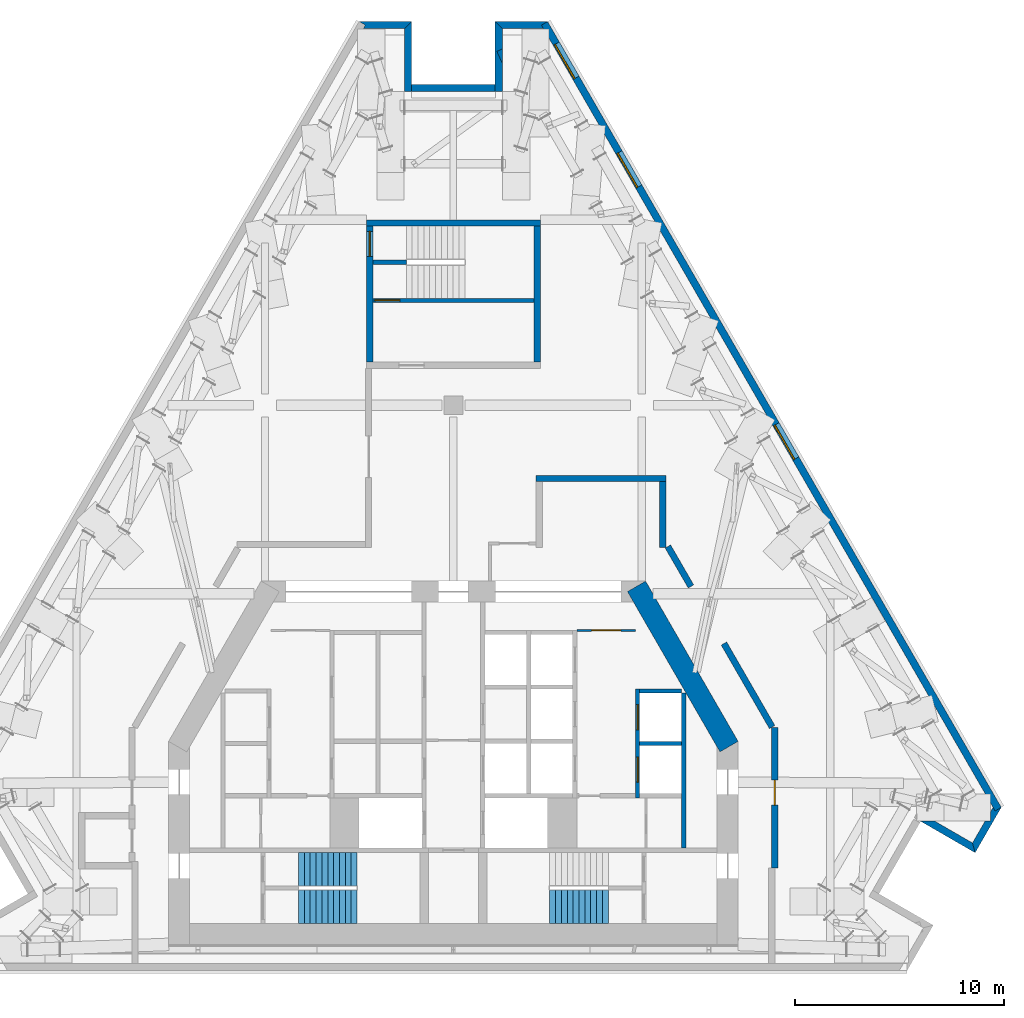
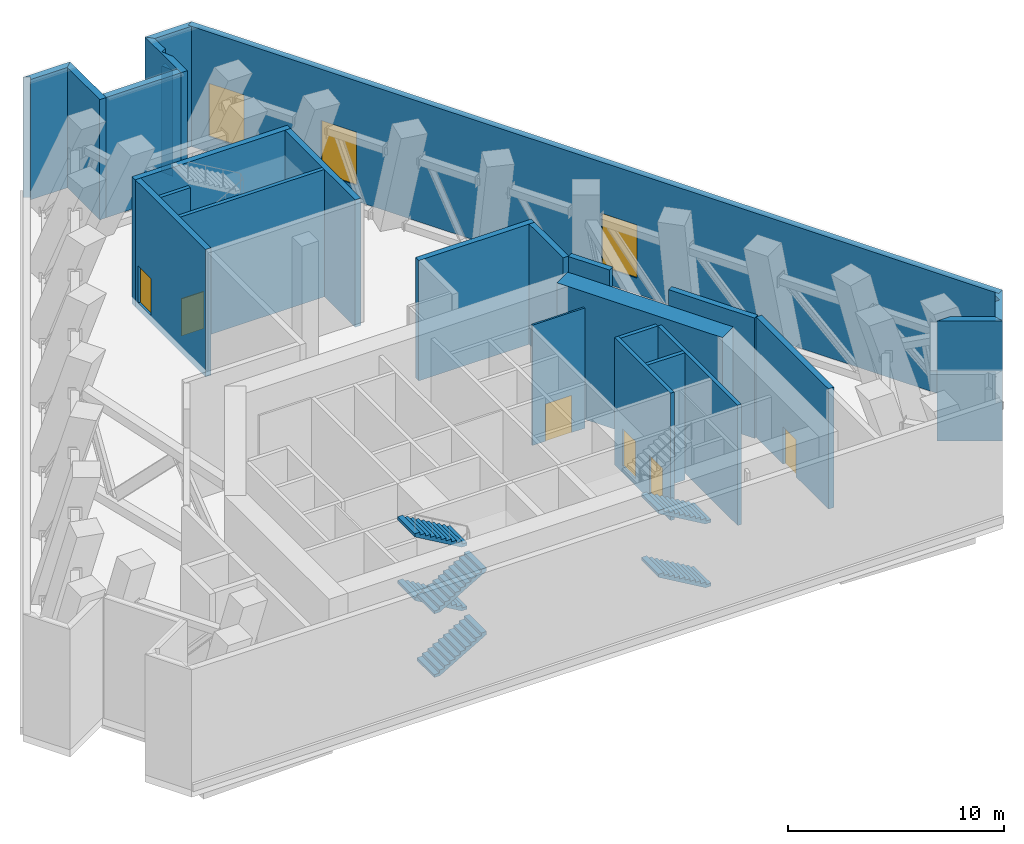
# One storey, part 8 of 13: 25 walls, 6 doors, 6 stair flights, 3 windows, 9 openings, 2 elements without a shape of their own.
"""IFC4 building model written with IfcOpenShell, lengths in metres."""

import ifcopenshell
import ifcopenshell.guid

model = None  # the IFC model being written
_history = None  # IfcOwnerHistory: only IFC2X3 demands one
_inside = {}  # id of a spatial element -> (the spatial element, [elements in it])
_under = {}  # id of a project, library or spatial element -> (it, [spatial elements below it])
_declared = {}  # id of a project -> (the project, [libraries it declares])
_typed = {}  # id of a type object -> (the type object, [elements of that type])
_made_of = {}  # id of a material, layer set ... -> (it, [elements and type objects made of it])


def new_model(schema):
    """Start an empty IFC model of exactly this schema.

    Asked for "IFC4X3", IfcOpenShell would pick the latest addendum, in which some entities
    have other attributes; the version numbers below select the first issue.
    IFC2X3 requires an IfcOwnerHistory on every rooted entity: one is made here for all.
    """
    global model, _history
    if schema == "IFC4X3":
        model = ifcopenshell.file(schema_version=(4, 3, 0, 0))
    else:
        model = ifcopenshell.file(schema=schema)
    _inside.clear()
    _under.clear()
    _declared.clear()
    _typed.clear()
    _made_of.clear()
    _history = None
    if model.schema == "IFC2X3":
        org = make("IfcOrganization", Name="unknown")
        user = make(
            "IfcPersonAndOrganization",
            ThePerson=make("IfcPerson", FamilyName="unknown"),
            TheOrganization=org,
        )
        app = make(
            "IfcApplication",
            ApplicationDeveloper=org,
            Version="unknown",
            ApplicationFullName="unknown",
            ApplicationIdentifier="unknown",
        )
        _history = make(
            "IfcOwnerHistory",
            OwningUser=user,
            OwningApplication=app,
            ChangeAction="ADDED",
            CreationDate=0,
        )
    return model


def make(cls, **values):
    """One entity of the class cls with the attributes given. An attribute that is None is left unset."""
    return model.create_entity(
        cls, **{name: value for name, value in values.items() if value is not None}
    )


def rooted(cls, **values):
    """An entity with a GlobalId (a new one), such as an element, a storey or a relation."""
    return make(cls, GlobalId=ifcopenshell.guid.new(), OwnerHistory=_history, **values)


def si_unit(unit_type, name, prefix=None):
    """IfcSIUnit, for example si_unit("LENGTHUNIT", "METRE", prefix="MILLI")."""
    return make("IfcSIUnit", UnitType=unit_type, Prefix=prefix, Name=name)


def assignment(units):
    """IfcUnitAssignment: the units of a project."""
    return None if units is None else make("IfcUnitAssignment", Units=units)


def point(xyz):
    """IfcCartesianPoint."""
    return None if xyz is None else make("IfcCartesianPoint", Coordinates=xyz)


def direction(xyz):
    """IfcDirection."""
    return None if xyz is None else make("IfcDirection", DirectionRatios=xyz)


def frame(location, z_axis=None, x_axis=None):
    """IfcAxis2Placement3D, a coordinate frame: its origin and axes. An axis left out is left unset."""
    return make(
        "IfcAxis2Placement3D",
        Location=point(location),
        Axis=direction(z_axis),
        RefDirection=direction(x_axis),
    )


def frame_2d(location, x_axis=None):
    """IfcAxis2Placement2D, a coordinate frame in the plane: its origin and x axis."""
    return make(
        "IfcAxis2Placement2D", Location=point(location), RefDirection=direction(x_axis)
    )


def origin():
    """The frame at (0, 0, 0) with its axes left unset."""
    return frame((0.0, 0.0, 0.0))


def place(relative_to, where):
    """IfcLocalPlacement: puts the frame where relative to a parent placement (None: the world)."""
    return make(
        "IfcLocalPlacement", PlacementRelTo=relative_to, RelativePlacement=where
    )


def context(
    kind, dimensions, precision=None, world=None, true_north=None, identifier=None
):
    """IfcGeometricRepresentationContext, for example the 3D "Model" context."""
    return make(
        "IfcGeometricRepresentationContext",
        ContextIdentifier=identifier,
        ContextType=kind,
        CoordinateSpaceDimension=dimensions,
        Precision=precision,
        WorldCoordinateSystem=world,
        TrueNorth=true_north,
    )


def subcontext(parent, identifier, kind, view, scale=None):
    """IfcGeometricRepresentationSubContext, for example "Body" below "Model"."""
    return make(
        "IfcGeometricRepresentationSubContext",
        ContextIdentifier=identifier,
        ContextType=kind,
        ParentContext=parent,
        TargetScale=scale,
        TargetView=view,
    )


def project(units=None, contexts=None):
    """IfcProject with its units and contexts."""
    return rooted(
        "IfcProject",
        Name="project",
        RepresentationContexts=contexts,
        UnitsInContext=assignment(units),
    )


def spatial(cls, under=None, at=None, **own):
    """A site, building, storey or space (cls), placed at a placement, below another one or the project."""
    s = rooted(cls, ObjectPlacement=at, **own)
    if under is not None:
        _under.setdefault(under.id(), (under, []))[1].append(s)
    return s


def polyline(points):
    """IfcPolyline through the points."""
    return make("IfcPolyline", Points=[point(p) for p in points])


def profile(cls, at=None, kind="AREA", **sizes):
    """A parametric profile (cls). Its sizes go by their IFC names, for example OverallWidth=200.0."""
    return make(cls, ProfileType=kind, Position=at, **sizes)


def rectangle(**sizes):
    """IfcRectangleProfileDef."""
    return profile("IfcRectangleProfileDef", **sizes)


def outline(outer, holes=None, kind="AREA"):
    """IfcArbitraryClosedProfileDef: a profile drawn as a closed curve; with holes, ...WithVoids."""
    if holes is None:
        return make("IfcArbitraryClosedProfileDef", ProfileType=kind, OuterCurve=outer)
    return make(
        "IfcArbitraryProfileDefWithVoids",
        ProfileType=kind,
        OuterCurve=outer,
        InnerCurves=holes,
    )


def extrude(swept, where, along, depth):
    """IfcExtrudedAreaSolid: the profile swept, set in the frame where, extruded along a direction by depth."""
    return make(
        "IfcExtrudedAreaSolid",
        SweptArea=swept,
        Position=where,
        ExtrudedDirection=direction(along),
        Depth=depth,
    )


def shape(context_of_items, identifier, shape_type, items):
    """IfcShapeRepresentation: the items that make up one representation, for example the "Body"."""
    return make(
        "IfcShapeRepresentation",
        ContextOfItems=context_of_items,
        RepresentationIdentifier=identifier,
        RepresentationType=shape_type,
        Items=items,
    )


def material(Name=None, Category=None):
    """IfcMaterial."""
    return make("IfcMaterial", Name=Name, Category=Category)


def layer(
    of_material, thickness, ventilated=None, Name=None, Category=None, Priority=None
):
    """IfcMaterialLayer: one layer of a wall or slab, of a material (None: an air gap)."""
    return make(
        "IfcMaterialLayer",
        Material=of_material,
        LayerThickness=thickness,
        IsVentilated=ventilated,
        Name=Name,
        Category=Category,
        Priority=Priority,
    )


def layer_set(layers, Name=None):
    """IfcMaterialLayerSet."""
    return make("IfcMaterialLayerSet", MaterialLayers=layers, LayerSetName=Name)


def made_of(thing, what):
    """Note that an element or type object is made of a material, layer set ...; save() writes the relation."""
    if what is not None:
        _made_of.setdefault(what.id(), (what, []))[1].append(thing)
    return thing


def type_object(cls, material=None, **own):
    """A type object (cls), such as IfcWallType, which elements share."""
    return made_of(rooted(cls, **own), material)


def element(
    cls,
    number,
    at=None,
    inside=None,
    cuts=None,
    type_object=None,
    material=None,
    context=None,
    identifier="Body",
    shape_type=None,
    held_by="IfcProductDefinitionShape",
    body=None,
    shapes=None,
    **own,
):
    """One element of the class cls, such as IfcWall. Its Tag is "e" and its number.

    at: its placement. inside: the storey or other place that contains it. cuts: it is an
    opening in that element (IfcRelVoidsElement). A single representation is given by context,
    identifier, shape_type and body (its items); several are given by shapes. held_by: the class
    of the entity that holds the representations. save() writes the other relations.
    """
    e = rooted(cls, Tag="e%d" % number, ObjectPlacement=at, **own)
    if body is not None:
        shapes = [shape(context, identifier, shape_type, body)]
    if shapes is not None:
        e.Representation = make(held_by, Representations=shapes)
    if inside is not None:
        _inside.setdefault(inside.id(), (inside, []))[1].append(e)
    if cuts is not None:
        rooted(
            "IfcRelVoidsElement", RelatingBuildingElement=cuts, RelatedOpeningElement=e
        )
    if type_object is not None:
        _typed.setdefault(type_object.id(), (type_object, []))[1].append(e)
    return made_of(e, material)


def fill(opening, filler):
    """IfcRelFillsElement: the door or window that sits in an opening."""
    return rooted(
        "IfcRelFillsElement",
        RelatingOpeningElement=opening,
        RelatedBuildingElement=filler,
    )


def aggregate(whole, parts):
    """IfcRelAggregates: a whole, such as a stair, and the parts it consists of."""
    return rooted("IfcRelAggregates", RelatingObject=whole, RelatedObjects=parts)


def save(model, path):
    """Write the relations noted so far, then the file.

    IfcRelAggregates (storeys below a building ...), IfcRelContainedInSpatialStructure (elements
    in a storey), IfcRelDefinesByType, IfcRelAssociatesMaterial and IfcRelDeclares: one each for
    every whole, place, type object, material and project.
    """
    for whole, parts in _under.values():
        aggregate(whole, parts)
    for where, things in _inside.values():
        rooted(
            "IfcRelContainedInSpatialStructure",
            RelatedElements=things,
            RelatingStructure=where,
        )
    for kind, things in _typed.values():
        rooted("IfcRelDefinesByType", RelatedObjects=things, RelatingType=kind)
    for what, things in _made_of.values():
        rooted("IfcRelAssociatesMaterial", RelatedObjects=things, RelatingMaterial=what)
    for by, libraries in _declared.values():
        rooted("IfcRelDeclares", RelatingContext=by, RelatedDefinitions=libraries)
    model.write(path)


model = new_model("IFC4")

# Units and contexts
model_context = context("Model", 3, precision=1e-05, world=origin(), true_north=direction((0.0, 1.0)))
body_context = subcontext(model_context, "Body", "Model", "MODEL_VIEW")
ifc_project = project(units=[si_unit("LENGTHUNIT", "METRE"), si_unit("AREAUNIT", "SQUARE_METRE"), si_unit("VOLUMEUNIT", "CUBIC_METRE"), si_unit("PLANEANGLEUNIT", "RADIAN"), si_unit("MASSUNIT", "GRAM", prefix="KILO")], contexts=[model_context])

# Site, building, storey
site_placement = place(None, origin())
site = spatial("IfcSite", under=ifc_project, at=site_placement, CompositionType="ELEMENT")
building_placement = place(site_placement, origin())
building = spatial("IfcBuilding", under=site, at=building_placement, Name="Fogline Exchange Tower", CompositionType="ELEMENT")
storey_placement = place(building_placement, frame((0.0, 0.0, 259.5)))
storey = spatial("IfcBuildingStorey", under=building, at=storey_placement, Name="L59", CompositionType="ELEMENT", Elevation=259.5)

# Wall, opening, door
ifc_material_1 = material(Name="Blockwork partition", Category="masonry")
ifc_layer_1 = layer(ifc_material_1, 0.10009765625)
ifc_layer_set_1 = layer_set([ifc_layer_1], Name="CW10")
wall_type_1 = type_object("IfcWallType", Name="CW10", PredefinedType="PARTITIONING", material=ifc_layer_set_1)
wall_1_placement = place(storey_placement, frame((5.89990234375, 16.25, 0.0), z_axis=(0.0, 0.0, 1.0), x_axis=(1.0, 0.0, 0.0)))
wall_1 = element("IfcWall", 1, at=wall_1_placement, inside=storey, type_object=wall_type_1, Name="Lift lobby partition", PredefinedType="PARTITIONING", context=body_context, shape_type="SweptSolid", body=[
    extrude(rectangle(XDim=2.800048828125, YDim=0.10009765625, at=frame_2d((1.39990234375, 0.0))), origin(), (0.0, 0.0, 1.0), 6.800048828125),
])
opening_1_placement = place(wall_1_placement, frame((0.699951171875, 0.0, 0.0)))
opening_1 = element("IfcOpeningElement", 2, at=opening_1_placement, cuts=wall_1, Name="Opening L59-C015", PredefinedType="OPENING", context=body_context, shape_type="SweptSolid", body=[
    extrude(rectangle(XDim=1.39990234375, YDim=2.10009765625, at=frame_2d((0.699951171875, 1.050048828125))), frame((0.0, 0.06005859375, 0.0), z_axis=(0.0, -1.0, 0.0), x_axis=(1.0, 0.0, 0.0)), (0.0, 0.0, 1.0), 0.1201171875),
])
ifc_material_2 = material(Name="Steel and timber fire door", Category="steel")
door_type_1 = type_object("IfcDoorType", Name="D-LB1", OperationType="DOUBLE_DOOR_SINGLE_SWING", PredefinedType="DOOR", material=ifc_material_2)
door_1_placement = place(opening_1_placement, origin())
door_1 = element("IfcDoor", 3, at=door_1_placement, inside=storey, type_object=door_type_1, Name="Door to lift lobby", OperationType="DOUBLE_DOOR_SINGLE_SWING", OverallHeight=2.10009765625, OverallWidth=1.39990234375, PredefinedType="DOOR", context=body_context, shape_type="SweptSolid", body=[
    extrude(rectangle(XDim=1.39990234375, YDim=2.10009765625, at=frame_2d((0.699951171875, 1.050048828125))), frame((0.0, 0.02490234375, 0.0), z_axis=(0.0, -1.0, 0.0), x_axis=(1.0, 0.0, 0.0)), (0.0, 0.0, 1.0), 0.050048828125),
])
fill(opening_1, door_1)

# Walls
ifc_material_3 = material(Name="Concrete C40", Category="concrete")
ifc_layer_2 = layer(ifc_material_3, 0.199951171875)
ifc_layer_set_2 = layer_set([ifc_layer_2], Name="CW20")
wall_type_2 = type_object("IfcWallType", Name="CW20", PredefinedType="SOLIDWALL", material=ifc_layer_set_2)
wall_2_placement = place(storey_placement, frame((11.0, 5.85009765625, 0.0), z_axis=(0.0, 0.0, 1.0), x_axis=(0.0, 1.0, 0.0)))
element("IfcWall", 4, at=wall_2_placement, inside=storey, type_object=wall_type_2, Name="Service room wall", PredefinedType="SOLIDWALL", context=body_context, shape_type="SweptSolid", body=[
    extrude(rectangle(XDim=7.39990234375, YDim=0.199951171875, at=frame_2d((3.699951171875, 0.0))), origin(), (0.0, 0.0, 1.0), 6.800048828125),
])
ifc_layer_3 = layer(ifc_material_3, 0.199951171875)
ifc_layer_set_3 = layer_set([ifc_layer_3], Name="CW20B")
wall_type_3 = type_object("IfcWallType", Name="CW20B", PredefinedType="SOLIDWALL", material=ifc_layer_set_3)
wall_3_placement = place(storey_placement, frame((-3.85009765625, 33.83203125, 0.0), z_axis=(0.0, 0.0, 1.0), x_axis=(1.0, 0.0, 0.0)))
element("IfcWall", 5, at=wall_3_placement, inside=storey, type_object=wall_type_3, Name="Stair separation wall ST3", PredefinedType="SOLIDWALL", context=body_context, shape_type="SweptSolid", body=[
    extrude(rectangle(XDim=1.60009765625, YDim=0.199951171875, at=frame_2d((0.800048828125, 0.0))), origin(), (0.0, 0.0, 1.0), 6.800048828125),
])

# Wall, opening, door
ifc_layer_4 = layer(ifc_material_3, 0.199951171875)
ifc_layer_set_4 = layer_set([ifc_layer_4], Name="CW20R")
wall_type_4 = type_object("IfcWallType", Name="CW20R", PredefinedType="SOLIDWALL", material=ifc_layer_set_4)
wall_4_placement = place(storey_placement, frame((-3.85009765625, 32.007080078125, -0.39990234375), z_axis=(0.0, 0.0, 1.0), x_axis=(1.0, 0.0, 0.0)))
wall_4 = element("IfcWall", 6, at=wall_4_placement, inside=storey, type_object=wall_type_4, Name="Stair enclosure wall ST3", PredefinedType="SOLIDWALL", context=body_context, shape_type="SweptSolid", body=[
    extrude(rectangle(XDim=7.7001953125, YDim=0.199951171875, at=frame_2d((3.85009765625, 0.0))), origin(), (0.0, 0.0, 1.0), 7.199951171875),
])
opening_2_placement = place(wall_4_placement, frame((0.10009765625, 0.0, 0.39990234375)))
opening_2 = element("IfcOpeningElement", 7, at=opening_2_placement, cuts=wall_4, Name="Opening L59-C028", PredefinedType="OPENING", context=body_context, shape_type="SweptSolid", body=[
    extrude(rectangle(XDim=1.199951171875, YDim=2.10009765625, at=frame_2d((0.60009765625, 1.050048828125))), frame((0.0, 0.10986328125, 0.0), z_axis=(0.0, -1.0, 0.0), x_axis=(1.0, 0.0, 0.0)), (0.0, 0.0, 1.0), 0.219970703125),
])
door_type_2 = type_object("IfcDoorType", Name="D-ST1", OperationType="SINGLE_SWING_LEFT", PredefinedType="DOOR", material=ifc_material_2)
door_2_placement = place(opening_2_placement, origin())
door_2 = element("IfcDoor", 8, at=door_2_placement, inside=storey, type_object=door_type_2, Name="Stair door ST3", OperationType="SINGLE_SWING_LEFT", OverallHeight=2.10009765625, OverallWidth=1.199951171875, PredefinedType="DOOR", context=body_context, shape_type="SweptSolid", body=[
    extrude(rectangle(XDim=1.199951171875, YDim=2.10009765625, at=frame_2d((0.60009765625, 1.050048828125))), frame((0.0, 0.02490234375, 0.0), z_axis=(0.0, -1.0, 0.0), x_axis=(1.0, 0.0, 0.0)), (0.0, 0.0, 1.0), 0.050048828125),
])
fill(opening_2, door_2)

# Wall, openings, doors
ifc_layer_5 = layer(ifc_material_3, 0.199951171875)
ifc_layer_set_5 = layer_set([ifc_layer_5], Name="CW20S")
wall_type_5 = type_object("IfcWallType", Name="CW20S", PredefinedType="SOLIDWALL", material=ifc_layer_set_5)
wall_5_placement = place(storey_placement, frame((8.800048828125, 8.25, -0.39990234375), z_axis=(0.0, 0.0, 1.0), x_axis=(0.0, 1.0, 0.0)))
wall_5 = element("IfcWall", 9, at=wall_5_placement, inside=storey, type_object=wall_type_5, Name="Lift shaft wall", PredefinedType="SOLIDWALL", context=body_context, shape_type="SweptSolid", body=[
    extrude(rectangle(XDim=5.199951171875, YDim=0.199951171875, at=frame_2d((2.60009765625, 0.0))), origin(), (0.0, 0.0, 1.0), 7.199951171875),
])
opening_3_placement = place(wall_5_placement, frame((0.75, 0.0, 0.39990234375)))
opening_3 = element("IfcOpeningElement", 10, at=opening_3_placement, cuts=wall_5, Name="Opening L59-LD02", PredefinedType="OPENING", context=body_context, shape_type="SweptSolid", body=[
    extrude(rectangle(XDim=1.199951171875, YDim=2.10009765625, at=frame_2d((0.60009765625, 1.050048828125))), frame((0.0, 0.10986328125, 0.0), z_axis=(0.0, -1.0, 0.0), x_axis=(1.0, 0.0, 0.0)), (0.0, 0.0, 1.0), 0.219970703125),
])
opening_4_placement = place(wall_5_placement, frame((3.25, 0.0, 0.39990234375)))
opening_4 = element("IfcOpeningElement", 11, at=opening_4_placement, cuts=wall_5, Name="Opening L59-LD03", PredefinedType="OPENING", context=body_context, shape_type="SweptSolid", body=[
    extrude(rectangle(XDim=1.199951171875, YDim=2.10009765625, at=frame_2d((0.60009765625, 1.050048828125))), frame((0.0, 0.10986328125, 0.0), z_axis=(0.0, -1.0, 0.0), x_axis=(1.0, 0.0, 0.0)), (0.0, 0.0, 1.0), 0.219970703125),
])
door_type_3 = type_object("IfcDoorType", Name="LD1", OperationType="SLIDING_TO_LEFT", PredefinedType="DOOR", material=ifc_material_2)
door_3_placement = place(opening_3_placement, origin())
door_3 = element("IfcDoor", 12, at=door_3_placement, inside=storey, type_object=door_type_3, Name="Landing door HR1", OperationType="SLIDING_TO_LEFT", OverallHeight=2.10009765625, OverallWidth=1.199951171875, PredefinedType="DOOR", context=body_context, shape_type="SweptSolid", body=[
    extrude(rectangle(XDim=1.199951171875, YDim=2.10009765625, at=frame_2d((0.60009765625, 1.050048828125))), frame((0.0, 0.02490234375, 0.0), z_axis=(0.0, -1.0, 0.0), x_axis=(1.0, 0.0, 0.0)), (0.0, 0.0, 1.0), 0.050048828125),
])
fill(opening_3, door_3)
door_4_placement = place(opening_4_placement, origin())
door_4 = element("IfcDoor", 13, at=door_4_placement, inside=storey, type_object=door_type_3, Name="Landing door HR2", OperationType="SLIDING_TO_LEFT", OverallHeight=2.10009765625, OverallWidth=1.199951171875, PredefinedType="DOOR", context=body_context, shape_type="SweptSolid", body=[
    extrude(rectangle(XDim=1.199951171875, YDim=2.10009765625, at=frame_2d((0.60009765625, 1.050048828125))), frame((0.0, 0.02490234375, 0.0), z_axis=(0.0, -1.0, 0.0), x_axis=(1.0, 0.0, 0.0)), (0.0, 0.0, 1.0), 0.050048828125),
])
fill(opening_4, door_4)

# Walls
for number, where, z_axis, x_axis, name in (
    (14, (8.89990234375, 10.85009765625, -0.39990234375), (0.0, 0.0, 1.0), (1.0, 0.0, 0.0), "Lift shaft wall"),
    (15, (8.89990234375, 13.35009765625, -0.39990234375), (0.0, 0.0, 1.0), (1.0, 0.0, 0.0), "Lift shaft wall"),
):
    element("IfcWall", number, at=place(storey_placement, frame(where, z_axis=z_axis, x_axis=x_axis)), inside=storey, type_object=wall_type_5, Name=name, PredefinedType="SOLIDWALL", context=body_context, shape_type="SweptSolid", body=[
        extrude(rectangle(XDim=2.0, YDim=0.199951171875, at=frame_2d((1.0, 0.0))), origin(), (0.0, 0.0, 1.0), 7.199951171875),
    ])
ifc_layer_6 = layer(ifc_material_3, 0.300048828125)
ifc_layer_set_6 = layer_set([ifc_layer_6], Name="CW30")
wall_type_6 = type_object("IfcWallType", Name="CW30", PredefinedType="SOLIDWALL", material=ifc_layer_set_6)
wall_6_placement = place(storey_placement, frame((-4.14990234375, 35.70703125, -0.39990234375), z_axis=(0.0, 0.0, 1.0), x_axis=(1.0, 0.0, 0.0)))
element("IfcWall", 16, at=wall_6_placement, inside=storey, type_object=wall_type_6, Name="Stair enclosure wall ST3", PredefinedType="SOLIDWALL", context=body_context, shape_type="SweptSolid", body=[
    extrude(rectangle(XDim=8.2998046875, YDim=0.300048828125, at=frame_2d((4.14990234375, 0.0))), origin(), (0.0, 0.0, 1.0), 7.199951171875),
])

# Wall, opening, door
wall_7_placement = place(storey_placement, frame((-4.0, 29.056884765625, -0.39990234375), z_axis=(0.0, 0.0, 1.0), x_axis=(0.0, 1.0, 0.0)))
wall_7 = element("IfcWall", 17, at=wall_7_placement, inside=storey, type_object=wall_type_6, Name="Stair enclosure wall ST3", PredefinedType="SOLIDWALL", context=body_context, shape_type="SweptSolid", body=[
    extrude(rectangle(XDim=6.5, YDim=0.300048828125, at=frame_2d((3.25, 0.0))), origin(), (0.0, 0.0, 1.0), 7.199951171875),
])
opening_5_placement = place(wall_7_placement, frame((5.050048828125, 0.0, 0.39990234375)))
opening_5 = element("IfcOpeningElement", 18, at=opening_5_placement, cuts=wall_7, Name="Opening L59-C029", PredefinedType="OPENING", context=body_context, shape_type="SweptSolid", body=[
    extrude(rectangle(XDim=1.199951171875, YDim=2.10009765625, at=frame_2d((0.60009765625, 1.050048828125))), frame((0.0, 0.16015625, 0.0), z_axis=(0.0, -1.0, 0.0), x_axis=(1.0, 0.0, 0.0)), (0.0, 0.0, 1.0), 0.320068359375),
])
door_5_placement = place(opening_5_placement, origin())
door_5 = element("IfcDoor", 19, at=door_5_placement, inside=storey, type_object=door_type_2, Name="Stair arrival door ST3", OperationType="SINGLE_SWING_RIGHT", OverallHeight=2.10009765625, OverallWidth=1.199951171875, PredefinedType="DOOR", context=body_context, shape_type="SweptSolid", body=[
    extrude(rectangle(XDim=1.199951171875, YDim=2.10009765625, at=frame_2d((0.60009765625, 1.050048828125))), frame((0.0, 0.02490234375, 0.0), z_axis=(0.0, -1.0, 0.0), x_axis=(1.0, 0.0, 0.0)), (0.0, 0.0, 1.0), 0.050048828125),
])
fill(opening_5, door_5)

# Walls
wall_8_placement = place(storey_placement, frame((4.0, 29.056884765625, -0.39990234375), z_axis=(0.0, 0.0, 1.0), x_axis=(0.0, 1.0, 0.0)))
element("IfcWall", 20, at=wall_8_placement, inside=storey, type_object=wall_type_6, Name="Stair enclosure wall ST3", PredefinedType="SOLIDWALL", context=body_context, shape_type="SweptSolid", body=[
    extrude(rectangle(XDim=6.5, YDim=0.300048828125, at=frame_2d((3.25, 0.0))), origin(), (0.0, 0.0, 1.0), 7.199951171875),
])
ifc_material_4 = material(Name="Brick masonry", Category="masonry")
ifc_layer_7 = layer(ifc_material_4, 0.340087890625)
ifc_layer_set_7 = layer_set([ifc_layer_7], Name="FW3")
wall_type_7 = type_object("IfcWallType", Name="FW3", PredefinedType="SOLIDWALL", material=ifc_layer_set_7)
wall_9_placement = place(storey_placement, origin())
element("IfcWall", 21, at=wall_9_placement, inside=storey, type_object=wall_type_7, Name="Brick wall L59 SE-s2", PredefinedType="SOLIDWALL", context=body_context, shape_type="SweptSolid", body=[
    extrude(outline(polyline([(24.919921875, 5.628173828125), (22.321044921875, 7.128662109375), (22.2939453125, 7.144287109375), (22.976318359375, 7.144287109375), (24.79541015625, 6.093994140625), (24.920166015625, 5.62841796875), (24.919921875, 5.628173828125)])), origin(), (0.0, 0.0, 1.0), 6.800048828125),
])
wall_10_placement = place(storey_placement, origin())
element("IfcWall", 22, at=wall_10_placement, inside=storey, type_object=wall_type_7, Name="Brick wall L59 SE-c2", PredefinedType="SOLIDWALL", context=body_context, shape_type="SweptSolid", body=[
    extrude(outline(polyline([(25.40087890625, 7.144287109375), (25.664794921875, 7.144287109375), (25.664794921875, 7.601318359375), (25.77685546875, 7.79541015625), (25.875244140625, 7.625), (26.169921875, 7.79541015625), (26.17041015625, 7.794921875), (24.91943359375, 5.6279296875), (24.9189453125, 5.6279296875), (24.794189453125, 6.09375), (25.40087890625, 7.144287109375)])), origin(), (0.0, 0.0, 1.0), 6.800048828125),
])

# Wall, openings, windows
wall_11_placement = place(storey_placement, frame((26.022216796875, 7.709228515625, 0.0), z_axis=(0.0, 0.0, 1.0), x_axis=(-0.500000891752, 0.866024888931, 0.0)))
wall_11 = element("IfcWall", 23, at=wall_11_placement, inside=storey, type_object=wall_type_7, Name="Brick wall L59 E", PredefinedType="SOLIDWALL", context=body_context, shape_type="SweptSolid", body=[
    extrude(rectangle(XDim=43.3388671875, YDim=0.340087890625, at=frame_2d((21.66943359375, 0.0))), origin(), (0.0, 0.0, 1.0), 6.800048828125),
])
opening_6_placement = place(wall_11_placement, frame((19.334716796875, 0.0, 0.89990234375)))
opening_6 = element("IfcOpeningElement", 24, at=opening_6_placement, cuts=wall_11, Name="Opening W6", PredefinedType="OPENING", context=body_context, shape_type="SweptSolid", body=[
    extrude(rectangle(XDim=1.885009765625, YDim=3.0, at=frame_2d((0.9423828125, 1.5))), frame((0.0, 0.18017578125, 0.0), z_axis=(0.0, -1.0, 0.0), x_axis=(1.0, 0.0, 0.0)), (0.0, 0.0, 1.0), 0.360107421875),
])
opening_7_placement = place(wall_11_placement, frame((34.334716796875, 0.0, 0.89990234375)))
opening_7 = element("IfcOpeningElement", 25, at=opening_7_placement, cuts=wall_11, Name="Opening W6", PredefinedType="OPENING", context=body_context, shape_type="SweptSolid", body=[
    extrude(rectangle(XDim=1.885009765625, YDim=3.0, at=frame_2d((0.9423828125, 1.5))), frame((0.0, 0.18017578125, 0.0), z_axis=(0.0, -1.0, 0.0), x_axis=(1.0, 0.0, 0.0)), (0.0, 0.0, 1.0), 0.360107421875),
])
opening_8_placement = place(wall_11_placement, frame((40.334716796875, 0.0, 0.89990234375)))
opening_8 = element("IfcOpeningElement", 26, at=opening_8_placement, cuts=wall_11, Name="Opening W6", PredefinedType="OPENING", context=body_context, shape_type="SweptSolid", body=[
    extrude(rectangle(XDim=1.885009765625, YDim=3.0, at=frame_2d((0.9423828125, 1.5))), frame((0.0, 0.18017578125, 0.0), z_axis=(0.0, -1.0, 0.0), x_axis=(1.0, 0.0, 0.0)), (0.0, 0.0, 1.0), 0.360107421875),
])
ifc_material_5 = material(Name="Aluminium louvre", Category="aluminium")
window_type = type_object("IfcWindowType", Name="W6", PartitioningType="SINGLE_PANEL", PredefinedType="WINDOW", material=ifc_material_5)
window_1_placement = place(opening_6_placement, origin())
window_1 = element("IfcWindow", 27, at=window_1_placement, inside=storey, type_object=window_type, Name="W6 W6", OverallHeight=3.0, OverallWidth=1.885009765625, PartitioningType="SINGLE_PANEL", PredefinedType="WINDOW", context=body_context, shape_type="SweptSolid", body=[
    extrude(rectangle(XDim=1.885009765625, YDim=3.0, at=frame_2d((0.9423828125, 1.5))), frame((0.0, 0.110107421875, 0.0), z_axis=(0.0, -1.0, 0.0), x_axis=(1.0, 0.0, 0.0)), (0.0, 0.0, 1.0), 0.06005859375),
])
fill(opening_6, window_1)
window_2_placement = place(opening_7_placement, origin())
window_2 = element("IfcWindow", 28, at=window_2_placement, inside=storey, type_object=window_type, Name="W6 W6", OverallHeight=3.0, OverallWidth=1.885009765625, PartitioningType="SINGLE_PANEL", PredefinedType="WINDOW", context=body_context, shape_type="SweptSolid", body=[
    extrude(rectangle(XDim=1.885009765625, YDim=3.0, at=frame_2d((0.9423828125, 1.5))), frame((0.0, 0.110107421875, 0.0), z_axis=(0.0, -1.0, 0.0), x_axis=(1.0, 0.0, 0.0)), (0.0, 0.0, 1.0), 0.06005859375),
])
fill(opening_7, window_2)
window_3_placement = place(opening_8_placement, origin())
window_3 = element("IfcWindow", 29, at=window_3_placement, inside=storey, type_object=window_type, Name="W6 W6", OverallHeight=3.0, OverallWidth=1.885009765625, PartitioningType="SINGLE_PANEL", PredefinedType="WINDOW", context=body_context, shape_type="SweptSolid", body=[
    extrude(rectangle(XDim=1.885009765625, YDim=3.0, at=frame_2d((0.9423828125, 1.5))), frame((0.0, 0.110107421875, 0.0), z_axis=(0.0, -1.0, 0.0), x_axis=(1.0, 0.0, 0.0)), (0.0, 0.0, 1.0), 0.06005859375),
])
fill(opening_8, window_3)

# Walls
wall_12_placement = place(storey_placement, origin())
element("IfcWall", 30, at=wall_12_placement, inside=storey, type_object=wall_type_7, Name="Brick wall L59 N-c1", PredefinedType="SOLIDWALL", context=body_context, shape_type="SweptSolid", body=[
    extrude(outline(polyline([(1.9990234375, 45.3271484375), (4.5009765625, 45.3271484375), (4.501220703125, 45.32666015625), (4.206298828125, 45.156494140625), (4.3046875, 44.986083984375), (2.33984375, 44.986083984375), (1.998779296875, 45.326904296875), (1.9990234375, 45.3271484375)])), origin(), (0.0, 0.0, 1.0), 6.800048828125),
])
wall_13_placement = place(storey_placement, origin())
element("IfcWall", 31, at=wall_13_placement, inside=storey, type_object=wall_type_7, Name="Brick wall L59 N-s1", PredefinedType="SOLIDWALL", context=body_context, shape_type="SweptSolid", body=[
    extrude(outline(polyline([(2.340576171875, 43.32666015625), (2.078369140625, 43.902099609375), (2.340576171875, 44.021484375), (2.340576171875, 43.32666015625)])), origin(), (0.0, 0.0, 1.0), 6.0),
])
wall_14_placement = place(storey_placement, origin())
element("IfcWall", 32, at=wall_14_placement, inside=storey, type_object=wall_type_7, Name="Brick wall L59 N-s1", PredefinedType="SOLIDWALL", context=body_context, shape_type="SweptSolid", body=[
    extrude(outline(polyline([(1.99951171875, 41.986083984375), (1.99951171875, 45.32763671875), (1.999755859375, 45.327880859375), (2.340576171875, 44.98681640625), (2.340576171875, 44.021484375), (2.078369140625, 43.902099609375), (2.340576171875, 43.32666015625), (2.340576171875, 41.986083984375), (1.99951171875, 41.986083984375)])), origin(), (0.0, 0.0, 1.0), 6.800048828125),
])
wall_15_placement = place(storey_placement, frame((2.0, 42.15673828125, 0.0), z_axis=(0.0, 0.0, 1.0), x_axis=(-1.0, 0.0, 0.0)))
element("IfcWall", 33, at=wall_15_placement, inside=storey, type_object=wall_type_7, Name="Brick wall L59 N-bk", PredefinedType="SOLIDWALL", context=body_context, shape_type="SweptSolid", body=[
    extrude(rectangle(XDim=4.0, YDim=0.340087890625, at=frame_2d((2.0, 0.0))), origin(), (0.0, 0.0, 1.0), 6.800048828125),
])
wall_16_placement = place(storey_placement, origin())
element("IfcWall", 34, at=wall_16_placement, inside=storey, type_object=wall_type_7, Name="Brick wall L59 N-s2", PredefinedType="SOLIDWALL", context=body_context, shape_type="SweptSolid", body=[
    extrude(outline(polyline([(-1.99951171875, 45.32763671875), (-1.99951171875, 41.986083984375), (-2.340576171875, 41.986083984375), (-2.340576171875, 44.98681640625), (-1.999755859375, 45.327880859375), (-1.99951171875, 45.32763671875)])), origin(), (0.0, 0.0, 1.0), 6.800048828125),
])
wall_17_placement = place(storey_placement, origin())
element("IfcWall", 35, at=wall_17_placement, inside=storey, type_object=wall_type_7, Name="Brick wall L59 N-c2", PredefinedType="SOLIDWALL", context=body_context, shape_type="SweptSolid", body=[
    extrude(outline(polyline([(-4.3046875, 44.986083984375), (-4.206298828125, 45.156494140625), (-4.501220703125, 45.32666015625), (-4.5009765625, 45.3271484375), (-1.9990234375, 45.3271484375), (-1.998779296875, 45.326904296875), (-2.33984375, 44.986083984375), (-4.3046875, 44.986083984375)])), origin(), (0.0, 0.0, 1.0), 6.800048828125),
])

# Wall, opening, door
ifc_layer_8 = layer(ifc_material_3, 0.300048828125)
ifc_layer_set_8 = layer_set([ifc_layer_8], Name="PP4")
wall_type_8 = type_object("IfcWallType", Name="PP4", PredefinedType="SOLIDWALL", material=ifc_layer_set_8)
wall_18_placement = place(storey_placement, frame((15.35009765625, 11.614013671875, 0.0), z_axis=(0.0, 0.0, 1.0), x_axis=(0.0, -1.0, 0.0)))
wall_18 = element("IfcWall", 36, at=wall_18_placement, inside=storey, type_object=wall_type_8, Name="PP4 partition", PredefinedType="SOLIDWALL", context=body_context, shape_type="SweptSolid", body=[
    extrude(rectangle(XDim=6.715087890625, YDim=0.300048828125, at=frame_2d((3.357421875, 0.0))), origin(), (0.0, 0.0, 1.0), 6.800048828125),
])
opening_9_placement = place(wall_18_placement, frame((2.513916015625, 0.0, 0.0)))
opening_9 = element("IfcOpeningElement", 37, at=opening_9_placement, cuts=wall_18, Name="Opening L59-D005", PredefinedType="OPENING", context=body_context, shape_type="SweptSolid", body=[
    extrude(rectangle(XDim=1.199951171875, YDim=2.10009765625, at=frame_2d((0.60009765625, 1.050048828125))), frame((0.0, 0.16015625, 0.0), z_axis=(0.0, -1.0, 0.0), x_axis=(1.0, 0.0, 0.0)), (0.0, 0.0, 1.0), 0.320068359375),
])
ifc_material_6 = material(Name="Steel Q235B", Category="steel")
door_type_4 = type_object("IfcDoorType", Name="PD7", OperationType="SINGLE_SWING_LEFT", PredefinedType="DOOR", material=ifc_material_6)
door_6_placement = place(opening_9_placement, frame((1.199951171875, 0.0, 0.0), z_axis=(0.0, 0.0, 1.0), x_axis=(-1.0, 0.0, 0.0)))
door_6 = element("IfcDoor", 38, at=door_6_placement, inside=storey, type_object=door_type_4, Name="L59-D005", OperationType="SINGLE_SWING_RIGHT", OverallHeight=2.10009765625, OverallWidth=1.199951171875, PredefinedType="DOOR", context=body_context, shape_type="SweptSolid", body=[
    extrude(rectangle(XDim=1.199951171875, YDim=2.10009765625, at=frame_2d((0.60009765625, 1.050048828125))), frame((0.0, 0.02490234375, 0.0), z_axis=(0.0, -1.0, 0.0), x_axis=(1.0, 0.0, 0.0)), (0.0, 0.0, 1.0), 0.050048828125),
])
fill(opening_9, door_6)

# Walls
wall_19_placement = place(storey_placement, frame((3.949951171875, 23.5, 0.0), z_axis=(0.0, 0.0, 1.0), x_axis=(1.0, 0.0, 0.0)))
element("IfcWall", 39, at=wall_19_placement, inside=storey, type_object=wall_type_8, Name="PP4 partition", PredefinedType="SOLIDWALL", context=body_context, shape_type="SweptSolid", body=[
    extrude(rectangle(XDim=6.199951171875, YDim=0.300048828125, at=frame_2d((3.10009765625, 0.0))), origin(), (0.0, 0.0, 1.0), 6.800048828125),
])
wall_20_placement = place(storey_placement, frame((12.921875, 15.6201171875, 0.0), z_axis=(0.0, 0.0, 1.0), x_axis=(0.49997925212, -0.866037382247, 0.0)))
element("IfcWall", 40, at=wall_20_placement, inside=storey, type_object=wall_type_8, Name="PP4 partition", PredefinedType="SOLIDWALL", context=body_context, shape_type="SweptSolid", body=[
    extrude(rectangle(XDim=4.608642578125, YDim=0.300048828125, at=frame_2d((2.30419921875, 0.0))), origin(), (0.0, 0.0, 1.0), 6.800048828125),
])
wall_21_placement = place(storey_placement, frame((10.0, 23.35009765625, 0.0), z_axis=(0.0, 0.0, 1.0), x_axis=(0.0, -1.0, 0.0)))
element("IfcWall", 41, at=wall_21_placement, inside=storey, type_object=wall_type_8, Name="PP4 partition", PredefinedType="SOLIDWALL", context=body_context, shape_type="SweptSolid", body=[
    extrude(rectangle(XDim=3.1494140625, YDim=0.300048828125, at=frame_2d((1.57470703125, 0.0))), origin(), (0.0, 0.0, 1.0), 6.800048828125),
])
wall_22_placement = place(storey_placement, frame((10.24609375, 20.254638671875, 0.0), z_axis=(0.0, 0.0, 1.0), x_axis=(0.500026363189, -0.866010182455, 0.0)))
element("IfcWall", 42, at=wall_22_placement, inside=storey, type_object=wall_type_8, Name="PP4 partition", PredefinedType="SOLIDWALL", context=body_context, shape_type="SweptSolid", body=[
    extrude(rectangle(XDim=2.2021484375, YDim=0.300048828125, at=frame_2d((1.10107421875, 0.0))), origin(), (0.0, 0.0, 1.0), 6.800048828125),
])
ifc_material_7 = material(Name="Concrete C60", Category="concrete")
ifc_layer_9 = layer(ifc_material_7, 1.0)
ifc_layer_set_9 = layer_set([ifc_layer_9], Name="SW03")
wall_type_9 = type_object("IfcWallType", Name="SW03", PredefinedType="SHEAR", material=ifc_layer_set_9)
wall_23_placement = place(storey_placement, frame((13.1669921875, 10.6953125, 0.0), z_axis=(0.0, 0.0, 1.0), x_axis=(-0.499995021168, 0.866028278295, 0.0)))
element("IfcWall", 43, at=wall_23_placement, inside=storey, type_object=wall_type_9, Name="L59-W903", PredefinedType="SHEAR", context=body_context, shape_type="SweptSolid", body=[
    extrude(rectangle(XDim=8.8388671875, YDim=1.0, at=frame_2d((4.41943359375, 0.0))), origin(), (0.0, 0.0, 1.0), 7.199951171875),
])

# Stair, stair flights
stair_type = type_object("IfcStairType", Name="STR44-1636", PredefinedType="HALF_TURN_STAIR", material=ifc_material_3)
stair_1_placement = place(storey_placement, origin())
stair_1 = element("IfcStair", 44, at=stair_1_placement, inside=storey, type_object=stair_type, Name="Stair ST1", PredefinedType="HALF_TURN_STAIR")
stair_flight_type = type_object("IfcStairFlightType", Name="SF11-1636", PredefinedType="STRAIGHT", material=ifc_material_3)
stair_flight_1_placement = place(storey_placement, frame((-7.39990234375, 3.050048828125, 0.0), z_axis=(0.0, 0.0, 1.0), x_axis=(1.0, 0.0, 0.0)))
stair_flight_1 = element("IfcStairFlight", 45, at=stair_flight_1_placement, type_object=stair_flight_type, Name="ST1 flight 1", NumberOfRisers=11, NumberOfTreads=10, PredefinedType="STRAIGHT", RiserHeight=0.163636364, TreadLength=0.28, context=body_context, shape_type="SweptSolid", body=[
    extrude(outline(polyline([(0.0, 0.0), (0.0, 0.16357421875), (0.280029296875, 0.16357421875), (0.280029296875, 0.327392578125), (0.56005859375, 0.327392578125), (0.56005859375, 0.490966796875), (0.840087890625, 0.490966796875), (0.840087890625, 0.654541015625), (1.1201171875, 0.654541015625), (1.1201171875, 0.818115234375), (1.39990234375, 0.818115234375), (1.39990234375, 0.98193359375), (1.679931640625, 0.98193359375), (1.679931640625, 1.1455078125), (1.9599609375, 1.1455078125), (1.9599609375, 1.30908203125), (2.239990234375, 1.30908203125), (2.239990234375, 1.47265625), (2.52001953125, 1.47265625), (2.52001953125, 1.636474609375), (2.800048828125, 1.636474609375), (2.800048828125, 1.800048828125), (2.800048828125, 1.462646484375), (0.297119140625, 0.0), (0.0, 0.0)])), frame((0.0, 0.800048828125, 0.0), z_axis=(0.0, -1.0, 0.0), x_axis=(1.0, 0.0, 0.0)), (0.0, 0.0, 1.0), 1.60009765625),
])
stair_flight_2_placement = place(storey_placement, frame((-4.60009765625, 4.85009765625, 1.800048828125), z_axis=(0.0, 0.0, 1.0), x_axis=(-1.0, 0.0, 0.0)))
stair_flight_2 = element("IfcStairFlight", 46, at=stair_flight_2_placement, type_object=stair_flight_type, Name="ST1 flight 2", NumberOfRisers=11, NumberOfTreads=10, PredefinedType="STRAIGHT", RiserHeight=0.163636364, TreadLength=0.28, context=body_context, shape_type="SweptSolid", body=[
    extrude(outline(polyline([(0.0, 0.0), (0.0, 0.16357421875), (0.280029296875, 0.16357421875), (0.280029296875, 0.327392578125), (0.56005859375, 0.327392578125), (0.56005859375, 0.490966796875), (0.840087890625, 0.490966796875), (0.840087890625, 0.654541015625), (1.1201171875, 0.654541015625), (1.1201171875, 0.818115234375), (1.39990234375, 0.818115234375), (1.39990234375, 0.98193359375), (1.679931640625, 0.98193359375), (1.679931640625, 1.1455078125), (1.9599609375, 1.1455078125), (1.9599609375, 1.30908203125), (2.239990234375, 1.30908203125), (2.239990234375, 1.47265625), (2.52001953125, 1.47265625), (2.52001953125, 1.636474609375), (2.800048828125, 1.636474609375), (2.800048828125, 1.800048828125), (2.800048828125, 1.462646484375), (0.297119140625, 0.0), (0.0, 0.0)])), frame((0.0, 0.800048828125, 0.0), z_axis=(0.0, -1.0, 0.0), x_axis=(1.0, 0.0, 0.0)), (0.0, 0.0, 1.0), 1.60009765625),
])
stair_flight_3_placement = place(storey_placement, frame((-7.39990234375, 3.050048828125, 3.60009765625), z_axis=(0.0, 0.0, 1.0), x_axis=(1.0, 0.0, 0.0)))
stair_flight_3 = element("IfcStairFlight", 47, at=stair_flight_3_placement, type_object=stair_flight_type, Name="ST1 flight 3", NumberOfRisers=11, NumberOfTreads=10, PredefinedType="STRAIGHT", RiserHeight=0.163636364, TreadLength=0.28, context=body_context, shape_type="SweptSolid", body=[
    extrude(outline(polyline([(0.0, 0.0), (0.0, 0.16357421875), (0.280029296875, 0.16357421875), (0.280029296875, 0.327392578125), (0.56005859375, 0.327392578125), (0.56005859375, 0.490966796875), (0.840087890625, 0.490966796875), (0.840087890625, 0.654541015625), (1.1201171875, 0.654541015625), (1.1201171875, 0.818115234375), (1.39990234375, 0.818115234375), (1.39990234375, 0.98193359375), (1.679931640625, 0.98193359375), (1.679931640625, 1.1455078125), (1.9599609375, 1.1455078125), (1.9599609375, 1.30908203125), (2.239990234375, 1.30908203125), (2.239990234375, 1.47265625), (2.52001953125, 1.47265625), (2.52001953125, 1.636474609375), (2.800048828125, 1.636474609375), (2.800048828125, 1.800048828125), (2.800048828125, 1.462646484375), (0.297119140625, 0.0), (0.0, 0.0)])), frame((0.0, 0.800048828125, 0.0), z_axis=(0.0, -1.0, 0.0), x_axis=(1.0, 0.0, 0.0)), (0.0, 0.0, 1.0), 1.60009765625),
])
stair_flight_4_placement = place(storey_placement, frame((-4.60009765625, 4.85009765625, 5.39990234375), z_axis=(0.0, 0.0, 1.0), x_axis=(-1.0, 0.0, 0.0)))
stair_flight_4 = element("IfcStairFlight", 48, at=stair_flight_4_placement, type_object=stair_flight_type, Name="ST1 flight 4", NumberOfRisers=11, NumberOfTreads=10, PredefinedType="STRAIGHT", RiserHeight=0.163636364, TreadLength=0.28, context=body_context, shape_type="SweptSolid", body=[
    extrude(outline(polyline([(0.0, 0.0), (0.0, 0.16357421875), (0.280029296875, 0.16357421875), (0.280029296875, 0.327392578125), (0.56005859375, 0.327392578125), (0.56005859375, 0.490966796875), (0.840087890625, 0.490966796875), (0.840087890625, 0.654541015625), (1.1201171875, 0.654541015625), (1.1201171875, 0.818115234375), (1.39990234375, 0.818115234375), (1.39990234375, 0.98193359375), (1.679931640625, 0.98193359375), (1.679931640625, 1.1455078125), (1.9599609375, 1.1455078125), (1.9599609375, 1.30908203125), (2.239990234375, 1.30908203125), (2.239990234375, 1.47265625), (2.52001953125, 1.47265625), (2.52001953125, 1.636474609375), (2.800048828125, 1.636474609375), (2.800048828125, 1.800048828125), (2.800048828125, 1.462646484375), (0.297119140625, 0.0), (0.0, 0.0)])), frame((0.0, 0.800048828125, 0.0), z_axis=(0.0, -1.0, 0.0), x_axis=(1.0, 0.0, 0.0)), (0.0, 0.0, 1.0), 1.60009765625),
])
aggregate(stair_1, [stair_flight_1, stair_flight_2, stair_flight_3, stair_flight_4])

stair_2_placement = place(storey_placement, origin())
stair_2 = element("IfcStair", 49, at=stair_2_placement, inside=storey, type_object=stair_type, Name="Stair ST2", PredefinedType="HALF_TURN_STAIR")
stair_flight_5_placement = place(storey_placement, frame((7.39990234375, 3.050048828125, 0.0), z_axis=(0.0, 0.0, 1.0), x_axis=(-1.0, 0.0, 0.0)))
stair_flight_5 = element("IfcStairFlight", 50, at=stair_flight_5_placement, type_object=stair_flight_type, Name="ST2 flight 1", NumberOfRisers=11, NumberOfTreads=10, PredefinedType="STRAIGHT", RiserHeight=0.163636364, TreadLength=0.28, context=body_context, shape_type="SweptSolid", body=[
    extrude(outline(polyline([(0.0, 0.0), (0.0, 0.16357421875), (0.280029296875, 0.16357421875), (0.280029296875, 0.327392578125), (0.56005859375, 0.327392578125), (0.56005859375, 0.490966796875), (0.840087890625, 0.490966796875), (0.840087890625, 0.654541015625), (1.1201171875, 0.654541015625), (1.1201171875, 0.818115234375), (1.39990234375, 0.818115234375), (1.39990234375, 0.98193359375), (1.679931640625, 0.98193359375), (1.679931640625, 1.1455078125), (1.9599609375, 1.1455078125), (1.9599609375, 1.30908203125), (2.239990234375, 1.30908203125), (2.239990234375, 1.47265625), (2.52001953125, 1.47265625), (2.52001953125, 1.636474609375), (2.800048828125, 1.636474609375), (2.800048828125, 1.800048828125), (2.800048828125, 1.462646484375), (0.297119140625, 0.0), (0.0, 0.0)])), frame((0.0, 0.800048828125, 0.0), z_axis=(0.0, -1.0, 0.0), x_axis=(1.0, 0.0, 0.0)), (0.0, 0.0, 1.0), 1.60009765625),
])
stair_flight_6_placement = place(storey_placement, frame((7.39990234375, 3.050048828125, 3.60009765625), z_axis=(0.0, 0.0, 1.0), x_axis=(-1.0, 0.0, 0.0)))
stair_flight_6 = element("IfcStairFlight", 51, at=stair_flight_6_placement, type_object=stair_flight_type, Name="ST2 flight 3", NumberOfRisers=11, NumberOfTreads=10, PredefinedType="STRAIGHT", RiserHeight=0.163636364, TreadLength=0.28, context=body_context, shape_type="SweptSolid", body=[
    extrude(outline(polyline([(0.0, 0.0), (0.0, 0.16357421875), (0.280029296875, 0.16357421875), (0.280029296875, 0.327392578125), (0.56005859375, 0.327392578125), (0.56005859375, 0.490966796875), (0.840087890625, 0.490966796875), (0.840087890625, 0.654541015625), (1.1201171875, 0.654541015625), (1.1201171875, 0.818115234375), (1.39990234375, 0.818115234375), (1.39990234375, 0.98193359375), (1.679931640625, 0.98193359375), (1.679931640625, 1.1455078125), (1.9599609375, 1.1455078125), (1.9599609375, 1.30908203125), (2.239990234375, 1.30908203125), (2.239990234375, 1.47265625), (2.52001953125, 1.47265625), (2.52001953125, 1.636474609375), (2.800048828125, 1.636474609375), (2.800048828125, 1.800048828125), (2.800048828125, 1.462646484375), (0.297119140625, 0.0), (0.0, 0.0)])), frame((0.0, 0.800048828125, 0.0), z_axis=(0.0, -1.0, 0.0), x_axis=(1.0, 0.0, 0.0)), (0.0, 0.0, 1.0), 1.60009765625),
])
aggregate(stair_2, [stair_flight_5, stair_flight_6])

save(model, "model.ifc")
